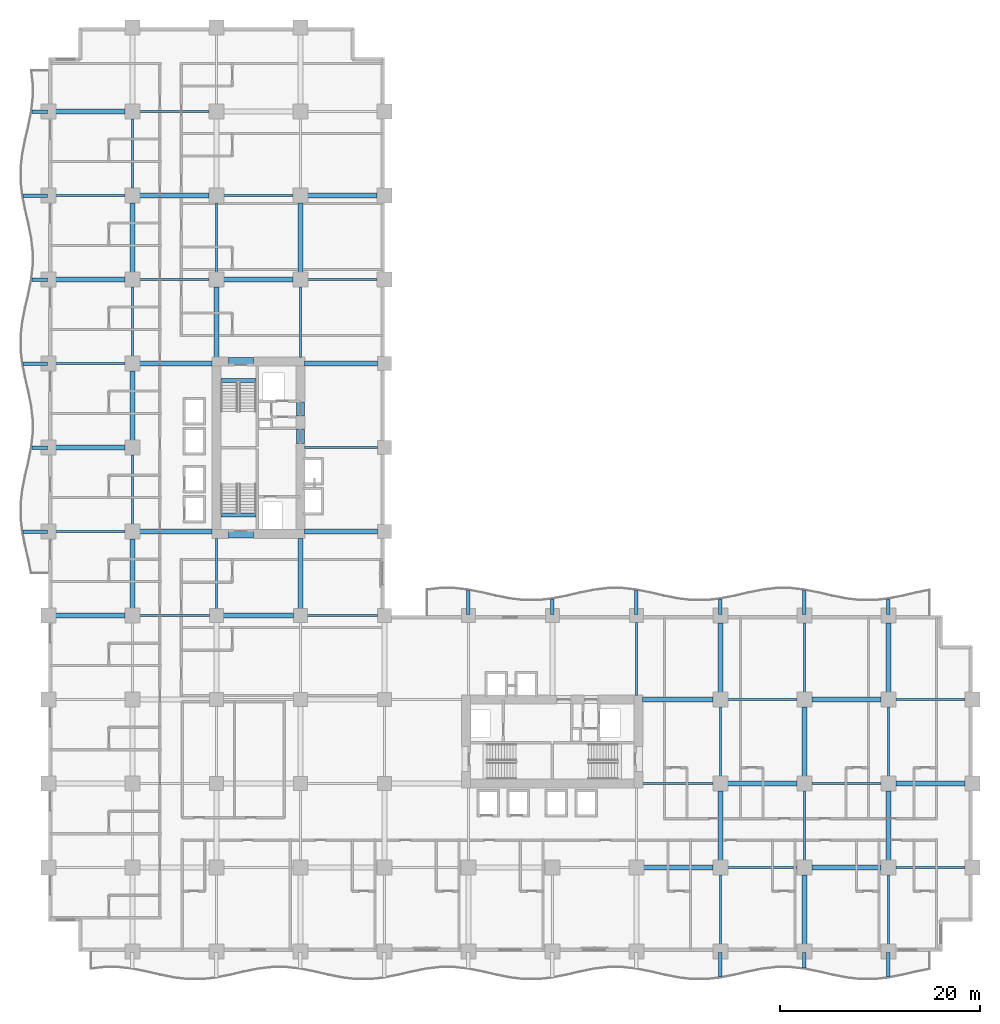
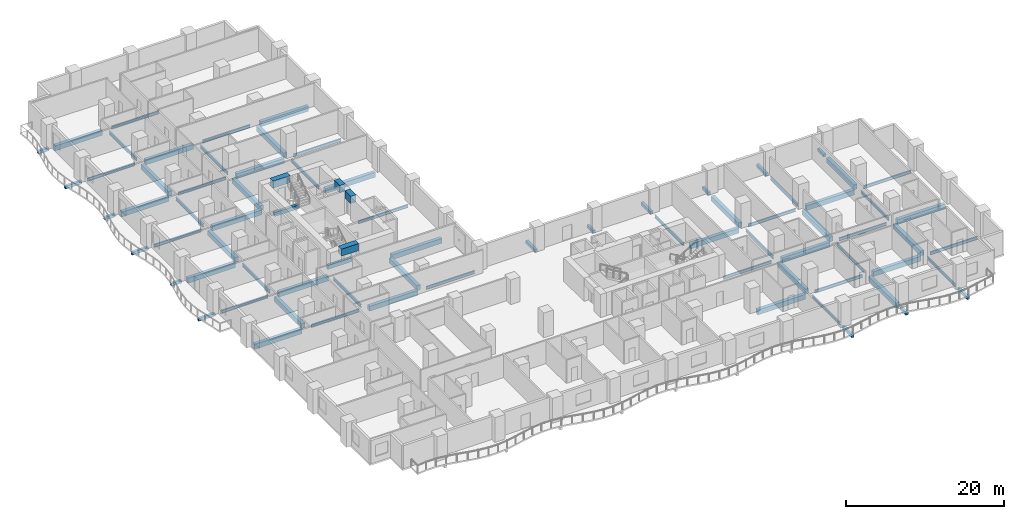
# One storey, part 2 of 20: 80 beams.
"""IFC4 building model written with IfcOpenShell, lengths in metres."""

from ifc_helpers import new_model, si_unit, direction, frame, origin, origin_2d, place, context, subcontext, project, spatial, rectangle, i_section, extrude, material, material_profile, profile_set, type_object, element, save


model = new_model("IFC4")

# Units and contexts
model_context = context("Model", 3, precision=1e-05, world=origin(), true_north=direction((0.0, 1.0)))
body_context = subcontext(model_context, "Body", "Model", "MODEL_VIEW")
ifc_project = project(units=[si_unit("LENGTHUNIT", "METRE"), si_unit("AREAUNIT", "SQUARE_METRE"), si_unit("VOLUMEUNIT", "CUBIC_METRE"), si_unit("PLANEANGLEUNIT", "RADIAN"), si_unit("MASSUNIT", "GRAM", prefix="KILO")], contexts=[model_context])

# Site, building, storey
site_placement = place(None, origin())
site = spatial("IfcSite", under=ifc_project, at=site_placement, CompositionType="ELEMENT")
building_placement = place(site_placement, origin())
building = spatial("IfcBuilding", under=site, at=building_placement, Name="Koriwani Terraces Tower", CompositionType="ELEMENT")
storey_placement = place(building_placement, frame((0.0, 0.0, 35.800048828125)))
storey = spatial("IfcBuildingStorey", under=building, at=storey_placement, Name="L07", CompositionType="ELEMENT", Elevation=35.800048828125)

# Beams
ifc_material_1 = material(Name="Concrete C40/50", Category="concrete")
ifc_material_profile_1 = material_profile(ifc_material_1, rectangle(XDim=0.35009765625, YDim=0.449951171875, at=origin_2d()), Name="Concrete C40/50", Category="LoadBearing")
ifc_profile_set_1 = profile_set([ifc_material_profile_1], Name="Concrete C40/50")
beam_type_1 = type_object("IfcBeamType", Name="BEAM_RC_BALCONY_RIB_350X450", PredefinedType="JOIST", material=ifc_profile_set_1)
beam_1_placement = place(storey_placement, frame((67.199951171875, -2.516845703125, -0.47509765625), z_axis=(0.0, 1.0, 0.0), x_axis=(-1.0, 0.0, 0.0)))
element("IfcBeam", 1, at=beam_1_placement, inside=storey, type_object=beam_type_1, Name="L07 Balcony Bracket Rib S-8", PredefinedType="JOIST", context=body_context, shape_type="SweptSolid", body=[
    extrude(rectangle(XDim=0.35009765625, YDim=0.449951171875, at=origin_2d()), origin(), (0.0, 0.0, 1.0), 2.416748046875),
])
beam_2_placement = place(storey_placement, frame((75.60009765625, -1.633056640625, -0.47509765625), z_axis=(0.0, 1.0, 0.0), x_axis=(-1.0, 0.0, 0.0)))
element("IfcBeam", 2, at=beam_2_placement, inside=storey, type_object=beam_type_1, Name="L07 Balcony Bracket Rib S-9", PredefinedType="JOIST", context=body_context, shape_type="SweptSolid", body=[
    extrude(rectangle(XDim=0.35009765625, YDim=0.449951171875, at=origin_2d()), origin(), (0.0, 0.0, 1.0), 1.532958984375),
])
for number, where, z_axis, x_axis, name in (
    (3, (84.0, -2.516845703125, -0.47509765625), (0.0, 1.0, 0.0), (-1.0, 0.0, 0.0), "L07 Balcony Bracket Rib S-10"),
    (4, (-2.516845703125, 42.0, -0.47509765625), (1.0, 0.0, 0.0), (0.0, 1.0, 0.0), "L07 Balcony Bracket Rib W-1"),
):
    element("IfcBeam", number, at=place(storey_placement, frame(where, z_axis=z_axis, x_axis=x_axis)), inside=storey, type_object=beam_type_1, Name=name, PredefinedType="JOIST", context=body_context, shape_type="SweptSolid", body=[
        extrude(rectangle(XDim=0.35009765625, YDim=0.449951171875, at=origin_2d()), origin(), (0.0, 0.0, 1.0), 2.416748046875),
    ])
beam_3_placement = place(storey_placement, frame((-1.633056640625, 50.39990234375, -0.47509765625), z_axis=(1.0, 0.0, 0.0), x_axis=(0.0, 1.0, 0.0)))
element("IfcBeam", 5, at=beam_3_placement, inside=storey, type_object=beam_type_1, Name="L07 Balcony Bracket Rib W-2", PredefinedType="JOIST", context=body_context, shape_type="SweptSolid", body=[
    extrude(rectangle(XDim=0.35009765625, YDim=0.449951171875, at=origin_2d()), origin(), (0.0, 0.0, 1.0), 1.532958984375),
])
beam_4_placement = place(storey_placement, frame((-2.516845703125, 58.800048828125, -0.47509765625), z_axis=(1.0, 0.0, 0.0), x_axis=(0.0, 1.0, 0.0)))
element("IfcBeam", 6, at=beam_4_placement, inside=storey, type_object=beam_type_1, Name="L07 Balcony Bracket Rib W-3", PredefinedType="JOIST", context=body_context, shape_type="SweptSolid", body=[
    extrude(rectangle(XDim=0.35009765625, YDim=0.449951171875, at=origin_2d()), origin(), (0.0, 0.0, 1.0), 2.416748046875),
])
beam_5_placement = place(storey_placement, frame((-1.633056640625, 67.199951171875, -0.47509765625), z_axis=(1.0, 0.0, 0.0), x_axis=(0.0, 1.0, 0.0)))
element("IfcBeam", 7, at=beam_5_placement, inside=storey, type_object=beam_type_1, Name="L07 Balcony Bracket Rib W-4", PredefinedType="JOIST", context=body_context, shape_type="SweptSolid", body=[
    extrude(rectangle(XDim=0.35009765625, YDim=0.449951171875, at=origin_2d()), origin(), (0.0, 0.0, 1.0), 1.532958984375),
])
beam_6_placement = place(storey_placement, frame((-2.516845703125, 75.60009765625, -0.47509765625), z_axis=(1.0, 0.0, 0.0), x_axis=(0.0, 1.0, 0.0)))
element("IfcBeam", 8, at=beam_6_placement, inside=storey, type_object=beam_type_1, Name="L07 Balcony Bracket Rib W-5", PredefinedType="JOIST", context=body_context, shape_type="SweptSolid", body=[
    extrude(rectangle(XDim=0.35009765625, YDim=0.449951171875, at=origin_2d()), origin(), (0.0, 0.0, 1.0), 2.416748046875),
])
beam_7_placement = place(storey_placement, frame((-1.633056640625, 84.0, -0.47509765625), z_axis=(1.0, 0.0, 0.0), x_axis=(0.0, 1.0, 0.0)))
element("IfcBeam", 9, at=beam_7_placement, inside=storey, type_object=beam_type_1, Name="L07 Balcony Bracket Rib W-6", PredefinedType="JOIST", context=body_context, shape_type="SweptSolid", body=[
    extrude(rectangle(XDim=0.35009765625, YDim=0.449951171875, at=origin_2d()), origin(), (0.0, 0.0, 1.0), 1.532958984375),
])
beam_8_placement = place(storey_placement, frame((42.0, 33.699951171875, -0.47509765625), z_axis=(0.0, 1.0, 0.0), x_axis=(-1.0, 0.0, 0.0)))
element("IfcBeam", 10, at=beam_8_placement, inside=storey, type_object=beam_type_1, Name="L07 Balcony Bracket Rib NE-1", PredefinedType="JOIST", context=body_context, shape_type="SweptSolid", body=[
    extrude(rectangle(XDim=0.35009765625, YDim=0.449951171875, at=origin_2d()), origin(), (0.0, 0.0, 1.0), 2.4169921875),
])
beam_9_placement = place(storey_placement, frame((50.39990234375, 33.699951171875, -0.47509765625), z_axis=(0.0, 1.0, 0.0), x_axis=(-1.0, 0.0, 0.0)))
element("IfcBeam", 11, at=beam_9_placement, inside=storey, type_object=beam_type_1, Name="L07 Balcony Bracket Rib NE-2", PredefinedType="JOIST", context=body_context, shape_type="SweptSolid", body=[
    extrude(rectangle(XDim=0.35009765625, YDim=0.449951171875, at=origin_2d()), origin(), (0.0, 0.0, 1.0), 1.533203125),
])
beam_10_placement = place(storey_placement, frame((58.800048828125, 33.699951171875, -0.47509765625), z_axis=(0.0, 1.0, 0.0), x_axis=(-1.0, 0.0, 0.0)))
element("IfcBeam", 12, at=beam_10_placement, inside=storey, type_object=beam_type_1, Name="L07 Balcony Bracket Rib NE-3", PredefinedType="JOIST", context=body_context, shape_type="SweptSolid", body=[
    extrude(rectangle(XDim=0.35009765625, YDim=0.449951171875, at=origin_2d()), origin(), (0.0, 0.0, 1.0), 2.4169921875),
])
beam_11_placement = place(storey_placement, frame((67.199951171875, 33.699951171875, -0.47509765625), z_axis=(0.0, 1.0, 0.0), x_axis=(-1.0, 0.0, 0.0)))
element("IfcBeam", 13, at=beam_11_placement, inside=storey, type_object=beam_type_1, Name="L07 Balcony Bracket Rib NE-4", PredefinedType="JOIST", context=body_context, shape_type="SweptSolid", body=[
    extrude(rectangle(XDim=0.35009765625, YDim=0.449951171875, at=origin_2d()), origin(), (0.0, 0.0, 1.0), 1.533203125),
])
beam_12_placement = place(storey_placement, frame((75.60009765625, 33.699951171875, -0.47509765625), z_axis=(0.0, 1.0, 0.0), x_axis=(-1.0, 0.0, 0.0)))
element("IfcBeam", 14, at=beam_12_placement, inside=storey, type_object=beam_type_1, Name="L07 Balcony Bracket Rib NE-5", PredefinedType="JOIST", context=body_context, shape_type="SweptSolid", body=[
    extrude(rectangle(XDim=0.35009765625, YDim=0.449951171875, at=origin_2d()), origin(), (0.0, 0.0, 1.0), 2.4169921875),
])
beam_13_placement = place(storey_placement, frame((84.0, 33.699951171875, -0.47509765625), z_axis=(0.0, 1.0, 0.0), x_axis=(-1.0, 0.0, 0.0)))
element("IfcBeam", 15, at=beam_13_placement, inside=storey, type_object=beam_type_1, Name="L07 Balcony Bracket Rib NE-6", PredefinedType="JOIST", context=body_context, shape_type="SweptSolid", body=[
    extrude(rectangle(XDim=0.35009765625, YDim=0.449951171875, at=origin_2d()), origin(), (0.0, 0.0, 1.0), 1.533203125),
])
ifc_material_2 = material(Name="Concrete C60/75", Category="concrete")
ifc_material_profile_2 = material_profile(ifc_material_2, rectangle(XDim=0.800048828125, YDim=1.10009765625, at=origin_2d()), Name="Concrete C60/75", Category="LoadBearing")
ifc_profile_set_2 = profile_set([ifc_material_profile_2], Name="Concrete C60/75")
beam_type_2 = type_object("IfcBeamType", Name="BEAM_RC_COUPLING_800X1100", PredefinedType="LINTEL", material=ifc_profile_set_2)
beam_14_placement = place(storey_placement, frame((25.199951171875, 50.800048828125, 3.0), z_axis=(0.0, 1.0, 0.0), x_axis=(-1.0, 0.0, 0.0)))
element("IfcBeam", 16, at=beam_14_placement, inside=storey, type_object=beam_type_2, Name="L07 Core Coupling Lintel Beam WE1", PredefinedType="LINTEL", context=body_context, shape_type="SweptSolid", body=[
    extrude(rectangle(XDim=0.800048828125, YDim=1.10009765625, at=origin_2d()), origin(), (0.0, 0.0, 1.0), 1.47998046875),
])
beam_15_placement = place(storey_placement, frame((25.199951171875, 53.550048828125, 3.0), z_axis=(0.0, 1.0, 0.0), x_axis=(-1.0, 0.0, 0.0)))
element("IfcBeam", 17, at=beam_15_placement, inside=storey, type_object=beam_type_2, Name="L07 Core Coupling Lintel Beam WE2", PredefinedType="LINTEL", context=body_context, shape_type="SweptSolid", body=[
    extrude(rectangle(XDim=0.800048828125, YDim=1.10009765625, at=origin_2d()), origin(), (0.0, 0.0, 1.0), 1.39990234375),
])
for number, where, z_axis, x_axis, name in (
    (18, (18.0, 41.75, 3.0), (1.0, 0.0, 0.0), (0.0, 1.0, 0.0), "L07 Core Coupling Lintel Beam WS"),
    (19, (18.0, 59.0, 3.0), (1.0, 0.0, 0.0), (0.0, 1.0, 0.0), "L07 Core Coupling Lintel Beam WN"),
):
    element("IfcBeam", number, at=place(storey_placement, frame(where, z_axis=z_axis, x_axis=x_axis)), inside=storey, type_object=beam_type_2, Name=name, PredefinedType="LINTEL", context=body_context, shape_type="SweptSolid", body=[
        extrude(rectangle(XDim=0.800048828125, YDim=1.10009765625, at=origin_2d()), origin(), (0.0, 0.0, 1.0), 2.5),
    ])
ifc_material_profile_3 = material_profile(ifc_material_1, rectangle(XDim=0.39990234375, YDim=0.60009765625, at=origin_2d()), Name="Concrete C40/50", Category="LoadBearing")
ifc_profile_set_3 = profile_set([ifc_material_profile_3], Name="Concrete C40/50")
beam_type_3 = type_object("IfcBeamType", Name="BEAM_RC_GRID_400X600", PredefinedType="BEAM", material=ifc_profile_set_3)
for number, where, z_axis, x_axis, name in (
    (20, (17.25, 43.655029296875, -0.300048828125), (1.0, 0.0, 0.0), (0.0, 1.0, 0.0), "L07 Stairwell Header Trimmer Beam ST-W1"),
    (21, (17.25, 57.094970703125, -0.300048828125), (1.0, 0.0, 0.0), (0.0, 1.0, 0.0), "L07 Stairwell Header Trimmer Beam ST-W2"),
):
    element("IfcBeam", number, at=place(storey_placement, frame(where, z_axis=z_axis, x_axis=x_axis)), inside=storey, type_object=beam_type_3, Name=name, PredefinedType="BEAM", context=body_context, shape_type="SweptSolid", body=[
        extrude(rectangle(XDim=0.39990234375, YDim=0.60009765625, at=origin_2d()), origin(), (0.0, 0.0, 1.0), 3.5),
    ])
ifc_material_3 = material(Name="Concrete C50/60", Category="concrete")
ifc_material_profile_4 = material_profile(ifc_material_3, rectangle(XDim=0.5, YDim=0.75, at=origin_2d()), Name="Concrete C50/60", Category="LoadBearing")
ifc_profile_set_4 = profile_set([ifc_material_profile_4], Name="Concrete C50/60")
beam_type_4 = type_object("IfcBeamType", Name="BEAM_RC_GRID_500X750", PredefinedType="BEAM", material=ifc_profile_set_4)
for number, where, z_axis, x_axis, name in (
    (22, (59.530029296875, 8.39990234375, -0.625), (1.0, 0.0, 0.0), (0.0, 1.0, 0.0), "L07 Grid Beam B (58.8-67.2m)"),
    (23, (76.330078125, 8.39990234375, -0.625), (1.0, 0.0, 0.0), (0.0, 1.0, 0.0), "L07 Grid Beam B (75.6-84.0m)"),
):
    element("IfcBeam", number, at=place(storey_placement, frame(where, z_axis=z_axis, x_axis=x_axis)), inside=storey, type_object=beam_type_4, Name=name, PredefinedType="BEAM", context=body_context, shape_type="SweptSolid", body=[
        extrude(rectangle(XDim=0.5, YDim=0.75, at=origin_2d()), origin(), (0.0, 0.0, 1.0), 6.93994140625),
    ])
beam_16_placement = place(storey_placement, frame((67.929931640625, 16.800048828125, -0.625), z_axis=(1.0, 0.0, 0.0), x_axis=(0.0, 1.0, 0.0)))
element("IfcBeam", 24, at=beam_16_placement, inside=storey, type_object=beam_type_4, Name="L07 Grid Beam C (67.2-75.6m)", PredefinedType="BEAM", context=body_context, shape_type="SweptSolid", body=[
    extrude(rectangle(XDim=0.5, YDim=0.75, at=origin_2d()), origin(), (0.0, 0.0, 1.0), 6.940185546875),
])
beam_17_placement = place(storey_placement, frame((84.72998046875, 16.800048828125, -0.625), z_axis=(1.0, 0.0, 0.0), x_axis=(0.0, 1.0, 0.0)))
element("IfcBeam", 25, at=beam_17_placement, inside=storey, type_object=beam_type_4, Name="L07 Grid Beam C (84.0-92.4m)", PredefinedType="BEAM", context=body_context, shape_type="SweptSolid", body=[
    extrude(rectangle(XDim=0.5, YDim=0.75, at=origin_2d()), origin(), (0.0, 0.0, 1.0), 6.93994140625),
])
beam_18_placement = place(storey_placement, frame((59.429931640625, 25.199951171875, -0.625), z_axis=(1.0, 0.0, 0.0), x_axis=(0.0, 1.0, 0.0)))
element("IfcBeam", 26, at=beam_18_placement, inside=storey, type_object=beam_type_4, Name="L07 Grid Beam D (58.8-67.2m)", PredefinedType="BEAM", context=body_context, shape_type="SweptSolid", body=[
    extrude(rectangle(XDim=0.5, YDim=0.75, at=origin_2d()), origin(), (0.0, 0.0, 1.0), 7.0400390625),
])
for number, where, z_axis, x_axis, name in (
    (27, (76.330078125, 25.199951171875, -0.625), (1.0, 0.0, 0.0), (0.0, 1.0, 0.0), "L07 Grid Beam D (75.6-84.0m)"),
    (28, (0.72998046875, 33.60009765625, -0.625), (1.0, 0.0, 0.0), (0.0, 1.0, 0.0), "L07 Grid Beam E (0.0-8.4m)"),
):
    element("IfcBeam", number, at=place(storey_placement, frame(where, z_axis=z_axis, x_axis=x_axis)), inside=storey, type_object=beam_type_4, Name=name, PredefinedType="BEAM", context=body_context, shape_type="SweptSolid", body=[
        extrude(rectangle(XDim=0.5, YDim=0.75, at=origin_2d()), origin(), (0.0, 0.0, 1.0), 6.93994140625),
    ])
beam_19_placement = place(storey_placement, frame((17.47998046875, 33.60009765625, -0.625), z_axis=(1.0, 0.0, 0.0), x_axis=(0.0, 1.0, 0.0)))
element("IfcBeam", 29, at=beam_19_placement, inside=storey, type_object=beam_type_4, Name="L07 Grid Beam E (16.8-25.2m)", PredefinedType="BEAM", context=body_context, shape_type="SweptSolid", body=[
    extrude(rectangle(XDim=0.5, YDim=0.75, at=origin_2d()), origin(), (0.0, 0.0, 1.0), 7.0400390625),
])
beam_20_placement = place(storey_placement, frame((9.1298828125, 42.0, -0.625), z_axis=(1.0, 0.0, 0.0), x_axis=(0.0, 1.0, 0.0)))
element("IfcBeam", 30, at=beam_20_placement, inside=storey, type_object=beam_type_4, Name="L07 Grid Beam F (8.4-16.8m)", PredefinedType="BEAM", context=body_context, shape_type="SweptSolid", body=[
    extrude(rectangle(XDim=0.5, YDim=0.75, at=origin_2d()), origin(), (0.0, 0.0, 1.0), 7.240234375),
])
beam_21_placement = place(storey_placement, frame((25.6298828125, 42.0, -0.625), z_axis=(1.0, 0.0, 0.0), x_axis=(0.0, 1.0, 0.0)))
element("IfcBeam", 31, at=beam_21_placement, inside=storey, type_object=beam_type_4, Name="L07 Grid Beam F (25.2-33.6m)", PredefinedType="BEAM", context=body_context, shape_type="SweptSolid", body=[
    extrude(rectangle(XDim=0.5, YDim=0.75, at=origin_2d()), origin(), (0.0, 0.0, 1.0), 7.2900390625),
])
beam_22_placement = place(storey_placement, frame((0.72998046875, 50.39990234375, -0.625), z_axis=(1.0, 0.0, 0.0), x_axis=(0.0, 1.0, 0.0)))
element("IfcBeam", 32, at=beam_22_placement, inside=storey, type_object=beam_type_4, Name="L07 Grid Beam G (0.0-8.4m)", PredefinedType="BEAM", context=body_context, shape_type="SweptSolid", body=[
    extrude(rectangle(XDim=0.5, YDim=0.75, at=origin_2d()), origin(), (0.0, 0.0, 1.0), 6.93994140625),
])
beam_23_placement = place(storey_placement, frame((9.1298828125, 58.800048828125, -0.625), z_axis=(1.0, 0.0, 0.0), x_axis=(0.0, 1.0, 0.0)))
element("IfcBeam", 33, at=beam_23_placement, inside=storey, type_object=beam_type_4, Name="L07 Grid Beam H (8.4-16.8m)", PredefinedType="BEAM", context=body_context, shape_type="SweptSolid", body=[
    extrude(rectangle(XDim=0.5, YDim=0.75, at=origin_2d()), origin(), (0.0, 0.0, 1.0), 7.240234375),
])
beam_24_placement = place(storey_placement, frame((25.6298828125, 58.800048828125, -0.625), z_axis=(1.0, 0.0, 0.0), x_axis=(0.0, 1.0, 0.0)))
element("IfcBeam", 34, at=beam_24_placement, inside=storey, type_object=beam_type_4, Name="L07 Grid Beam H (25.2-33.6m)", PredefinedType="BEAM", context=body_context, shape_type="SweptSolid", body=[
    extrude(rectangle(XDim=0.5, YDim=0.75, at=origin_2d()), origin(), (0.0, 0.0, 1.0), 7.2900390625),
])
for number, where, z_axis, x_axis, name in (
    (35, (0.72998046875, 67.199951171875, -0.625), (1.0, 0.0, 0.0), (0.0, 1.0, 0.0), "L07 Grid Beam I (0.0-8.4m)"),
    (36, (17.530029296875, 67.199951171875, -0.625), (1.0, 0.0, 0.0), (0.0, 1.0, 0.0), "L07 Grid Beam I (16.8-25.2m)"),
):
    element("IfcBeam", number, at=place(storey_placement, frame(where, z_axis=z_axis, x_axis=x_axis)), inside=storey, type_object=beam_type_4, Name=name, PredefinedType="BEAM", context=body_context, shape_type="SweptSolid", body=[
        extrude(rectangle(XDim=0.5, YDim=0.75, at=origin_2d()), origin(), (0.0, 0.0, 1.0), 6.93994140625),
    ])
for number, where, z_axis, x_axis, name in (
    (37, (9.1298828125, 75.60009765625, -0.625), (1.0, 0.0, 0.0), (0.0, 1.0, 0.0), "L07 Grid Beam J (8.4-16.8m)"),
    (38, (25.929931640625, 75.60009765625, -0.625), (1.0, 0.0, 0.0), (0.0, 1.0, 0.0), "L07 Grid Beam J (25.2-33.6m)"),
):
    element("IfcBeam", number, at=place(storey_placement, frame(where, z_axis=z_axis, x_axis=x_axis)), inside=storey, type_object=beam_type_4, Name=name, PredefinedType="BEAM", context=body_context, shape_type="SweptSolid", body=[
        extrude(rectangle(XDim=0.5, YDim=0.75, at=origin_2d()), origin(), (0.0, 0.0, 1.0), 6.940185546875),
    ])
for number, where, z_axis, x_axis, name in (
    (39, (0.72998046875, 84.0, -0.625), (1.0, 0.0, 0.0), (0.0, 1.0, 0.0), "L07 Grid Beam K (0.0-8.4m)"),
    (40, (8.39990234375, 34.330078125, -0.625), (0.0, 1.0, 0.0), (-1.0, 0.0, 0.0), "L07 Grid Beam 2 (33.6-42.0m)"),
):
    element("IfcBeam", number, at=place(storey_placement, frame(where, z_axis=z_axis, x_axis=x_axis)), inside=storey, type_object=beam_type_4, Name=name, PredefinedType="BEAM", context=body_context, shape_type="SweptSolid", body=[
        extrude(rectangle(XDim=0.5, YDim=0.75, at=origin_2d()), origin(), (0.0, 0.0, 1.0), 6.93994140625),
    ])
for number, where, z_axis, x_axis, name in (
    (41, (8.39990234375, 51.1298828125, -0.625), (0.0, 1.0, 0.0), (-1.0, 0.0, 0.0), "L07 Grid Beam 2 (50.4-58.8m)"),
    (42, (8.39990234375, 67.929931640625, -0.625), (0.0, 1.0, 0.0), (-1.0, 0.0, 0.0), "L07 Grid Beam 2 (67.2-75.6m)"),
):
    element("IfcBeam", number, at=place(storey_placement, frame(where, z_axis=z_axis, x_axis=x_axis)), inside=storey, type_object=beam_type_4, Name=name, PredefinedType="BEAM", context=body_context, shape_type="SweptSolid", body=[
        extrude(rectangle(XDim=0.5, YDim=0.75, at=origin_2d()), origin(), (0.0, 0.0, 1.0), 6.940185546875),
    ])
for number, where, z_axis, x_axis, name in (
    (43, (16.800048828125, 59.429931640625, -0.625), (0.0, 1.0, 0.0), (-1.0, 0.0, 0.0), "L07 Grid Beam 3 (58.8-67.2m)"),
    (44, (25.199951171875, 34.280029296875, -0.625), (0.0, 1.0, 0.0), (-1.0, 0.0, 0.0), "L07 Grid Beam 4 (33.6-42.0m)"),
):
    element("IfcBeam", number, at=place(storey_placement, frame(where, z_axis=z_axis, x_axis=x_axis)), inside=storey, type_object=beam_type_4, Name=name, PredefinedType="BEAM", context=body_context, shape_type="SweptSolid", body=[
        extrude(rectangle(XDim=0.5, YDim=0.75, at=origin_2d()), origin(), (0.0, 0.0, 1.0), 7.0400390625),
    ])
for number, where, z_axis, x_axis, name in (
    (45, (25.199951171875, 67.929931640625, -0.625), (0.0, 1.0, 0.0), (-1.0, 0.0, 0.0), "L07 Grid Beam 4 (67.2-75.6m)"),
    (46, (67.199951171875, 9.1298828125, -0.625), (0.0, 1.0, 0.0), (-1.0, 0.0, 0.0), "L07 Grid Beam 9 (8.4-16.8m)"),
    (47, (67.199951171875, 25.929931640625, -0.625), (0.0, 1.0, 0.0), (-1.0, 0.0, 0.0), "L07 Grid Beam 9 (25.2-33.6m)"),
):
    element("IfcBeam", number, at=place(storey_placement, frame(where, z_axis=z_axis, x_axis=x_axis)), inside=storey, type_object=beam_type_4, Name=name, PredefinedType="BEAM", context=body_context, shape_type="SweptSolid", body=[
        extrude(rectangle(XDim=0.5, YDim=0.75, at=origin_2d()), origin(), (0.0, 0.0, 1.0), 6.940185546875),
    ])
for number, where, z_axis, x_axis, name in (
    (48, (75.60009765625, 0.72998046875, -0.625), (0.0, 1.0, 0.0), (-1.0, 0.0, 0.0), "L07 Grid Beam 10 (0.0-8.4m)"),
    (49, (75.60009765625, 17.530029296875, -0.625), (0.0, 1.0, 0.0), (-1.0, 0.0, 0.0), "L07 Grid Beam 10 (16.8-25.2m)"),
):
    element("IfcBeam", number, at=place(storey_placement, frame(where, z_axis=z_axis, x_axis=x_axis)), inside=storey, type_object=beam_type_4, Name=name, PredefinedType="BEAM", context=body_context, shape_type="SweptSolid", body=[
        extrude(rectangle(XDim=0.5, YDim=0.75, at=origin_2d()), origin(), (0.0, 0.0, 1.0), 6.93994140625),
    ])
for number, where, z_axis, x_axis, name in (
    (50, (84.0, 9.1298828125, -0.625), (0.0, 1.0, 0.0), (-1.0, 0.0, 0.0), "L07 Grid Beam 11 (8.4-16.8m)"),
    (51, (84.0, 25.929931640625, -0.625), (0.0, 1.0, 0.0), (-1.0, 0.0, 0.0), "L07 Grid Beam 11 (25.2-33.6m)"),
):
    element("IfcBeam", number, at=place(storey_placement, frame(where, z_axis=z_axis, x_axis=x_axis)), inside=storey, type_object=beam_type_4, Name=name, PredefinedType="BEAM", context=body_context, shape_type="SweptSolid", body=[
        extrude(rectangle(XDim=0.5, YDim=0.75, at=origin_2d()), origin(), (0.0, 0.0, 1.0), 6.940185546875),
    ])
ifc_material_4 = material(Name="Steel ASTM A572 Grade 50", Category="steel")
ifc_material_profile_5 = material_profile(ifc_material_4, i_section(OverallWidth=0.19189453125, OverallDepth=0.462890625, WebThickness=0.010498046875, FlangeThickness=0.01611328125, at=origin_2d()), Name="Steel ASTM A572 Grade 50", Category="LoadBearing")
ifc_profile_set_5 = profile_set([ifc_material_profile_5], Name="Steel ASTM A572 Grade 50")
beam_type_5 = type_object("IfcBeamType", Name="STEEL_BEAM_W460X89", PredefinedType="BEAM", material=ifc_profile_set_5)
beam_25_placement = place(storey_placement, frame((67.929931640625, 8.39990234375, -0.4814453125), z_axis=(1.0, 0.0, 0.0), x_axis=(0.0, 1.0, 0.0)))
element("IfcBeam", 52, at=beam_25_placement, inside=storey, type_object=beam_type_5, Name="L07 Grid Beam B (67.2-75.6m)", PredefinedType="BEAM", context=body_context, shape_type="SweptSolid", body=[
    extrude(i_section(OverallWidth=0.19189453125, OverallDepth=0.462890625, WebThickness=0.010498046875, FlangeThickness=0.01611328125, at=origin_2d()), origin(), (0.0, 0.0, 1.0), 6.940185546875),
])
beam_26_placement = place(storey_placement, frame((84.72998046875, 8.39990234375, -0.4814453125), z_axis=(1.0, 0.0, 0.0), x_axis=(0.0, 1.0, 0.0)))
element("IfcBeam", 53, at=beam_26_placement, inside=storey, type_object=beam_type_5, Name="L07 Grid Beam B (84.0-92.4m)", PredefinedType="BEAM", context=body_context, shape_type="SweptSolid", body=[
    extrude(i_section(OverallWidth=0.19189453125, OverallDepth=0.462890625, WebThickness=0.010498046875, FlangeThickness=0.01611328125, at=origin_2d()), origin(), (0.0, 0.0, 1.0), 6.93994140625),
])
beam_27_placement = place(storey_placement, frame((59.429931640625, 16.800048828125, -0.4814453125), z_axis=(1.0, 0.0, 0.0), x_axis=(0.0, 1.0, 0.0)))
element("IfcBeam", 54, at=beam_27_placement, inside=storey, type_object=beam_type_5, Name="L07 Grid Beam C (58.8-67.2m)", PredefinedType="BEAM", context=body_context, shape_type="SweptSolid", body=[
    extrude(i_section(OverallWidth=0.19189453125, OverallDepth=0.462890625, WebThickness=0.010498046875, FlangeThickness=0.01611328125, at=origin_2d()), origin(), (0.0, 0.0, 1.0), 7.0400390625),
])
beam_28_placement = place(storey_placement, frame((76.330078125, 16.800048828125, -0.4814453125), z_axis=(1.0, 0.0, 0.0), x_axis=(0.0, 1.0, 0.0)))
element("IfcBeam", 55, at=beam_28_placement, inside=storey, type_object=beam_type_5, Name="L07 Grid Beam C (75.6-84.0m)", PredefinedType="BEAM", context=body_context, shape_type="SweptSolid", body=[
    extrude(i_section(OverallWidth=0.19189453125, OverallDepth=0.462890625, WebThickness=0.010498046875, FlangeThickness=0.01611328125, at=origin_2d()), origin(), (0.0, 0.0, 1.0), 6.93994140625),
])
beam_29_placement = place(storey_placement, frame((67.929931640625, 25.199951171875, -0.4814453125), z_axis=(1.0, 0.0, 0.0), x_axis=(0.0, 1.0, 0.0)))
element("IfcBeam", 56, at=beam_29_placement, inside=storey, type_object=beam_type_5, Name="L07 Grid Beam D (67.2-75.6m)", PredefinedType="BEAM", context=body_context, shape_type="SweptSolid", body=[
    extrude(i_section(OverallWidth=0.19189453125, OverallDepth=0.462890625, WebThickness=0.010498046875, FlangeThickness=0.01611328125, at=origin_2d()), origin(), (0.0, 0.0, 1.0), 6.940185546875),
])
beam_30_placement = place(storey_placement, frame((84.72998046875, 25.199951171875, -0.4814453125), z_axis=(1.0, 0.0, 0.0), x_axis=(0.0, 1.0, 0.0)))
element("IfcBeam", 57, at=beam_30_placement, inside=storey, type_object=beam_type_5, Name="L07 Grid Beam D (84.0-92.4m)", PredefinedType="BEAM", context=body_context, shape_type="SweptSolid", body=[
    extrude(i_section(OverallWidth=0.19189453125, OverallDepth=0.462890625, WebThickness=0.010498046875, FlangeThickness=0.01611328125, at=origin_2d()), origin(), (0.0, 0.0, 1.0), 6.93994140625),
])
beam_31_placement = place(storey_placement, frame((9.1298828125, 33.60009765625, -0.4814453125), z_axis=(1.0, 0.0, 0.0), x_axis=(0.0, 1.0, 0.0)))
element("IfcBeam", 58, at=beam_31_placement, inside=storey, type_object=beam_type_5, Name="L07 Grid Beam E (8.4-16.8m)", PredefinedType="BEAM", context=body_context, shape_type="SweptSolid", body=[
    extrude(i_section(OverallWidth=0.19189453125, OverallDepth=0.462890625, WebThickness=0.010498046875, FlangeThickness=0.01611328125, at=origin_2d()), origin(), (0.0, 0.0, 1.0), 6.990234375),
])
beam_32_placement = place(storey_placement, frame((25.8798828125, 33.60009765625, -0.4814453125), z_axis=(1.0, 0.0, 0.0), x_axis=(0.0, 1.0, 0.0)))
element("IfcBeam", 59, at=beam_32_placement, inside=storey, type_object=beam_type_5, Name="L07 Grid Beam E (25.2-33.6m)", PredefinedType="BEAM", context=body_context, shape_type="SweptSolid", body=[
    extrude(i_section(OverallWidth=0.19189453125, OverallDepth=0.462890625, WebThickness=0.010498046875, FlangeThickness=0.01611328125, at=origin_2d()), origin(), (0.0, 0.0, 1.0), 7.0400390625),
])
beam_33_placement = place(storey_placement, frame((0.72998046875, 42.0, -0.4814453125), z_axis=(1.0, 0.0, 0.0), x_axis=(0.0, 1.0, 0.0)))
element("IfcBeam", 60, at=beam_33_placement, inside=storey, type_object=beam_type_5, Name="L07 Grid Beam F (0.0-8.4m)", PredefinedType="BEAM", context=body_context, shape_type="SweptSolid", body=[
    extrude(i_section(OverallWidth=0.19189453125, OverallDepth=0.462890625, WebThickness=0.010498046875, FlangeThickness=0.01611328125, at=origin_2d()), origin(), (0.0, 0.0, 1.0), 6.93994140625),
])
beam_34_placement = place(storey_placement, frame((25.6298828125, 50.39990234375, -0.4814453125), z_axis=(1.0, 0.0, 0.0), x_axis=(0.0, 1.0, 0.0)))
element("IfcBeam", 61, at=beam_34_placement, inside=storey, type_object=beam_type_5, Name="L07 Grid Beam G (25.2-33.6m)", PredefinedType="BEAM", context=body_context, shape_type="SweptSolid", body=[
    extrude(i_section(OverallWidth=0.19189453125, OverallDepth=0.462890625, WebThickness=0.010498046875, FlangeThickness=0.01611328125, at=origin_2d()), origin(), (0.0, 0.0, 1.0), 7.2900390625),
])
beam_35_placement = place(storey_placement, frame((0.72998046875, 58.800048828125, -0.4814453125), z_axis=(1.0, 0.0, 0.0), x_axis=(0.0, 1.0, 0.0)))
element("IfcBeam", 62, at=beam_35_placement, inside=storey, type_object=beam_type_5, Name="L07 Grid Beam H (0.0-8.4m)", PredefinedType="BEAM", context=body_context, shape_type="SweptSolid", body=[
    extrude(i_section(OverallWidth=0.19189453125, OverallDepth=0.462890625, WebThickness=0.010498046875, FlangeThickness=0.01611328125, at=origin_2d()), origin(), (0.0, 0.0, 1.0), 6.93994140625),
])
for number, where, z_axis, x_axis, name in (
    (63, (9.1298828125, 67.199951171875, -0.4814453125), (1.0, 0.0, 0.0), (0.0, 1.0, 0.0), "L07 Grid Beam I (8.4-16.8m)"),
    (64, (25.929931640625, 67.199951171875, -0.4814453125), (1.0, 0.0, 0.0), (0.0, 1.0, 0.0), "L07 Grid Beam I (25.2-33.6m)"),
):
    element("IfcBeam", number, at=place(storey_placement, frame(where, z_axis=z_axis, x_axis=x_axis)), inside=storey, type_object=beam_type_5, Name=name, PredefinedType="BEAM", context=body_context, shape_type="SweptSolid", body=[
        extrude(i_section(OverallWidth=0.19189453125, OverallDepth=0.462890625, WebThickness=0.010498046875, FlangeThickness=0.01611328125, at=origin_2d()), origin(), (0.0, 0.0, 1.0), 6.940185546875),
    ])
for number, where, z_axis, x_axis, name in (
    (65, (0.72998046875, 75.60009765625, -0.4814453125), (1.0, 0.0, 0.0), (0.0, 1.0, 0.0), "L07 Grid Beam J (0.0-8.4m)"),
    (66, (17.530029296875, 75.60009765625, -0.4814453125), (1.0, 0.0, 0.0), (0.0, 1.0, 0.0), "L07 Grid Beam J (16.8-25.2m)"),
):
    element("IfcBeam", number, at=place(storey_placement, frame(where, z_axis=z_axis, x_axis=x_axis)), inside=storey, type_object=beam_type_5, Name=name, PredefinedType="BEAM", context=body_context, shape_type="SweptSolid", body=[
        extrude(i_section(OverallWidth=0.19189453125, OverallDepth=0.462890625, WebThickness=0.010498046875, FlangeThickness=0.01611328125, at=origin_2d()), origin(), (0.0, 0.0, 1.0), 6.93994140625),
    ])
beam_36_placement = place(storey_placement, frame((9.1298828125, 84.0, -0.4814453125), z_axis=(1.0, 0.0, 0.0), x_axis=(0.0, 1.0, 0.0)))
element("IfcBeam", 67, at=beam_36_placement, inside=storey, type_object=beam_type_5, Name="L07 Grid Beam K (8.4-16.8m)", PredefinedType="BEAM", context=body_context, shape_type="SweptSolid", body=[
    extrude(i_section(OverallWidth=0.19189453125, OverallDepth=0.462890625, WebThickness=0.010498046875, FlangeThickness=0.01611328125, at=origin_2d()), origin(), (0.0, 0.0, 1.0), 6.940185546875),
])
for number, where, z_axis, x_axis, name in (
    (68, (8.39990234375, 42.72998046875, -0.4814453125), (0.0, 1.0, 0.0), (-1.0, 0.0, 0.0), "L07 Grid Beam 2 (42.0-50.4m)"),
    (69, (8.39990234375, 59.530029296875, -0.4814453125), (0.0, 1.0, 0.0), (-1.0, 0.0, 0.0), "L07 Grid Beam 2 (58.8-67.2m)"),
    (70, (8.39990234375, 76.330078125, -0.4814453125), (0.0, 1.0, 0.0), (-1.0, 0.0, 0.0), "L07 Grid Beam 2 (75.6-84.0m)"),
):
    element("IfcBeam", number, at=place(storey_placement, frame(where, z_axis=z_axis, x_axis=x_axis)), inside=storey, type_object=beam_type_5, Name=name, PredefinedType="BEAM", context=body_context, shape_type="SweptSolid", body=[
        extrude(i_section(OverallWidth=0.19189453125, OverallDepth=0.462890625, WebThickness=0.010498046875, FlangeThickness=0.01611328125, at=origin_2d()), origin(), (0.0, 0.0, 1.0), 6.93994140625),
    ])
beam_37_placement = place(storey_placement, frame((16.800048828125, 34.280029296875, -0.4814453125), z_axis=(0.0, 1.0, 0.0), x_axis=(-1.0, 0.0, 0.0)))
element("IfcBeam", 71, at=beam_37_placement, inside=storey, type_object=beam_type_5, Name="L07 Grid Beam 3 (33.6-42.0m)", PredefinedType="BEAM", context=body_context, shape_type="SweptSolid", body=[
    extrude(i_section(OverallWidth=0.19189453125, OverallDepth=0.462890625, WebThickness=0.010498046875, FlangeThickness=0.01611328125, at=origin_2d()), origin(), (0.0, 0.0, 1.0), 7.0400390625),
])
beam_38_placement = place(storey_placement, frame((16.800048828125, 67.929931640625, -0.4814453125), z_axis=(0.0, 1.0, 0.0), x_axis=(-1.0, 0.0, 0.0)))
element("IfcBeam", 72, at=beam_38_placement, inside=storey, type_object=beam_type_5, Name="L07 Grid Beam 3 (67.2-75.6m)", PredefinedType="BEAM", context=body_context, shape_type="SweptSolid", body=[
    extrude(i_section(OverallWidth=0.19189453125, OverallDepth=0.462890625, WebThickness=0.010498046875, FlangeThickness=0.01611328125, at=origin_2d()), origin(), (0.0, 0.0, 1.0), 6.940185546875),
])
beam_39_placement = place(storey_placement, frame((25.199951171875, 59.429931640625, -0.4814453125), z_axis=(0.0, 1.0, 0.0), x_axis=(-1.0, 0.0, 0.0)))
element("IfcBeam", 73, at=beam_39_placement, inside=storey, type_object=beam_type_5, Name="L07 Grid Beam 4 (58.8-67.2m)", PredefinedType="BEAM", context=body_context, shape_type="SweptSolid", body=[
    extrude(i_section(OverallWidth=0.19189453125, OverallDepth=0.462890625, WebThickness=0.010498046875, FlangeThickness=0.01611328125, at=origin_2d()), origin(), (0.0, 0.0, 1.0), 7.0400390625),
])
beam_40_placement = place(storey_placement, frame((58.800048828125, 25.6298828125, -0.4814453125), z_axis=(0.0, 1.0, 0.0), x_axis=(-1.0, 0.0, 0.0)))
element("IfcBeam", 74, at=beam_40_placement, inside=storey, type_object=beam_type_5, Name="L07 Grid Beam 8 (25.2-33.6m)", PredefinedType="BEAM", context=body_context, shape_type="SweptSolid", body=[
    extrude(i_section(OverallWidth=0.19189453125, OverallDepth=0.462890625, WebThickness=0.010498046875, FlangeThickness=0.01611328125, at=origin_2d()), origin(), (0.0, 0.0, 1.0), 7.2900390625),
])
for number, where, z_axis, x_axis, name in (
    (75, (67.199951171875, 0.72998046875, -0.4814453125), (0.0, 1.0, 0.0), (-1.0, 0.0, 0.0), "L07 Grid Beam 9 (0.0-8.4m)"),
    (76, (67.199951171875, 17.530029296875, -0.4814453125), (0.0, 1.0, 0.0), (-1.0, 0.0, 0.0), "L07 Grid Beam 9 (16.8-25.2m)"),
):
    element("IfcBeam", number, at=place(storey_placement, frame(where, z_axis=z_axis, x_axis=x_axis)), inside=storey, type_object=beam_type_5, Name=name, PredefinedType="BEAM", context=body_context, shape_type="SweptSolid", body=[
        extrude(i_section(OverallWidth=0.19189453125, OverallDepth=0.462890625, WebThickness=0.010498046875, FlangeThickness=0.01611328125, at=origin_2d()), origin(), (0.0, 0.0, 1.0), 6.93994140625),
    ])
for number, where, z_axis, x_axis, name in (
    (77, (75.60009765625, 9.1298828125, -0.4814453125), (0.0, 1.0, 0.0), (-1.0, 0.0, 0.0), "L07 Grid Beam 10 (8.4-16.8m)"),
    (78, (75.60009765625, 25.929931640625, -0.4814453125), (0.0, 1.0, 0.0), (-1.0, 0.0, 0.0), "L07 Grid Beam 10 (25.2-33.6m)"),
):
    element("IfcBeam", number, at=place(storey_placement, frame(where, z_axis=z_axis, x_axis=x_axis)), inside=storey, type_object=beam_type_5, Name=name, PredefinedType="BEAM", context=body_context, shape_type="SweptSolid", body=[
        extrude(i_section(OverallWidth=0.19189453125, OverallDepth=0.462890625, WebThickness=0.010498046875, FlangeThickness=0.01611328125, at=origin_2d()), origin(), (0.0, 0.0, 1.0), 6.940185546875),
    ])
for number, where, z_axis, x_axis, name in (
    (79, (84.0, 0.72998046875, -0.4814453125), (0.0, 1.0, 0.0), (-1.0, 0.0, 0.0), "L07 Grid Beam 11 (0.0-8.4m)"),
    (80, (84.0, 17.530029296875, -0.4814453125), (0.0, 1.0, 0.0), (-1.0, 0.0, 0.0), "L07 Grid Beam 11 (16.8-25.2m)"),
):
    element("IfcBeam", number, at=place(storey_placement, frame(where, z_axis=z_axis, x_axis=x_axis)), inside=storey, type_object=beam_type_5, Name=name, PredefinedType="BEAM", context=body_context, shape_type="SweptSolid", body=[
        extrude(i_section(OverallWidth=0.19189453125, OverallDepth=0.462890625, WebThickness=0.010498046875, FlangeThickness=0.01611328125, at=origin_2d()), origin(), (0.0, 0.0, 1.0), 6.93994140625),
    ])

save(model, "model.ifc")
